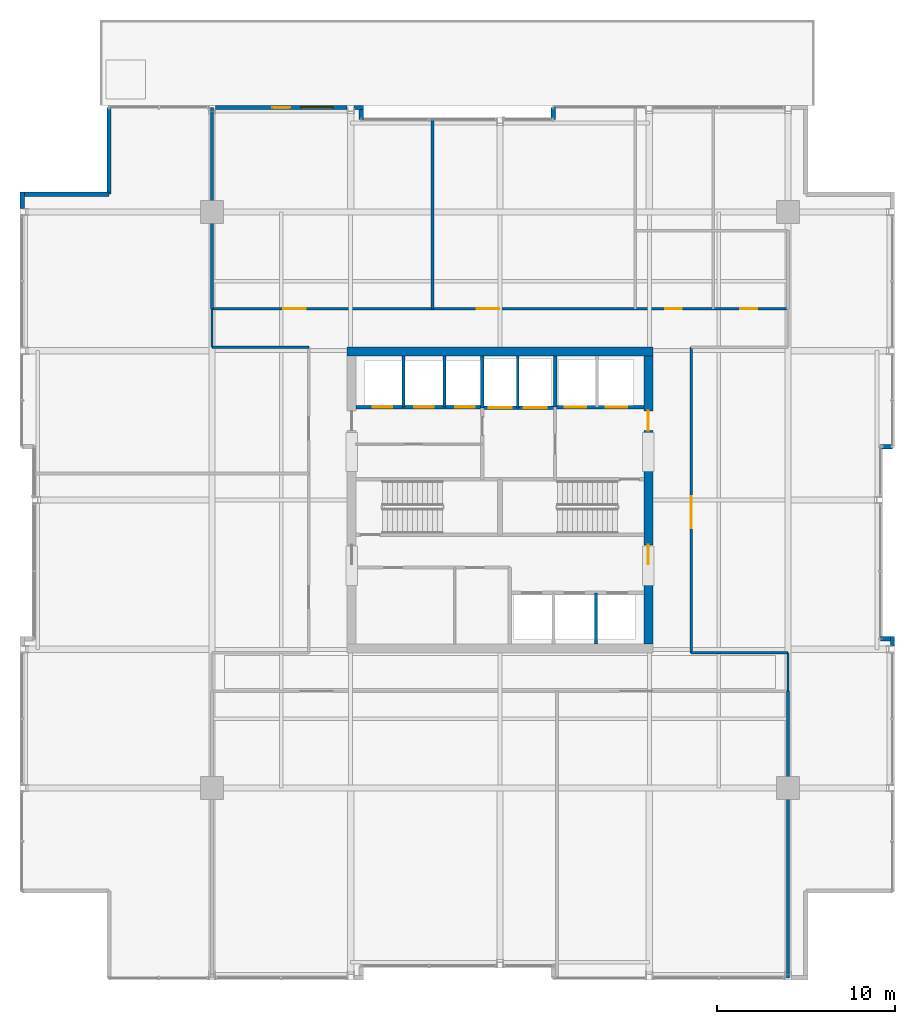
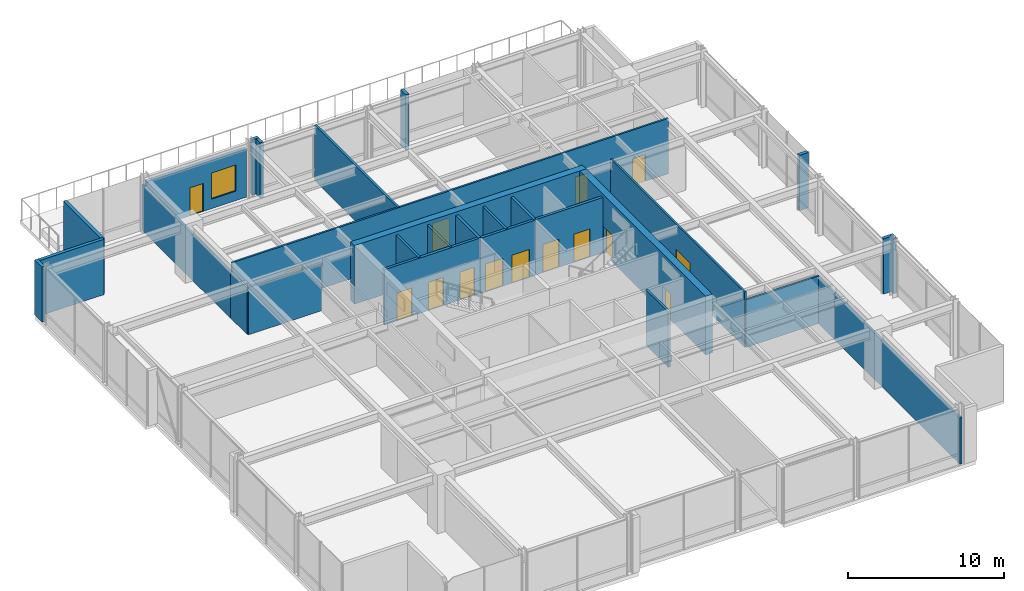
# One storey, part 28 of 32: 30 walls, 15 doors, 1 window, 16 openings.
"""IFC4 building model written with IfcOpenShell, lengths in metres."""

import ifcopenshell
import ifcopenshell.guid

model = None  # the IFC model being written
_history = None  # IfcOwnerHistory: only IFC2X3 demands one
_inside = {}  # id of a spatial element -> (the spatial element, [elements in it])
_under = {}  # id of a project, library or spatial element -> (it, [spatial elements below it])
_declared = {}  # id of a project -> (the project, [libraries it declares])
_typed = {}  # id of a type object -> (the type object, [elements of that type])
_made_of = {}  # id of a material, layer set ... -> (it, [elements and type objects made of it])


def new_model(schema):
    """Start an empty IFC model of exactly this schema.

    Asked for "IFC4X3", IfcOpenShell would pick the latest addendum, in which some entities
    have other attributes; the version numbers below select the first issue.
    IFC2X3 requires an IfcOwnerHistory on every rooted entity: one is made here for all.
    """
    global model, _history
    if schema == "IFC4X3":
        model = ifcopenshell.file(schema_version=(4, 3, 0, 0))
    else:
        model = ifcopenshell.file(schema=schema)
    _inside.clear()
    _under.clear()
    _declared.clear()
    _typed.clear()
    _made_of.clear()
    _history = None
    if model.schema == "IFC2X3":
        org = make("IfcOrganization", Name="unknown")
        user = make(
            "IfcPersonAndOrganization",
            ThePerson=make("IfcPerson", FamilyName="unknown"),
            TheOrganization=org,
        )
        app = make(
            "IfcApplication",
            ApplicationDeveloper=org,
            Version="unknown",
            ApplicationFullName="unknown",
            ApplicationIdentifier="unknown",
        )
        _history = make(
            "IfcOwnerHistory",
            OwningUser=user,
            OwningApplication=app,
            ChangeAction="ADDED",
            CreationDate=0,
        )
    return model


def make(cls, **values):
    """One entity of the class cls with the attributes given. An attribute that is None is left unset."""
    return model.create_entity(
        cls, **{name: value for name, value in values.items() if value is not None}
    )


def rooted(cls, **values):
    """An entity with a GlobalId (a new one), such as an element, a storey or a relation."""
    return make(cls, GlobalId=ifcopenshell.guid.new(), OwnerHistory=_history, **values)


def si_unit(unit_type, name, prefix=None):
    """IfcSIUnit, for example si_unit("LENGTHUNIT", "METRE", prefix="MILLI")."""
    return make("IfcSIUnit", UnitType=unit_type, Prefix=prefix, Name=name)


def assignment(units):
    """IfcUnitAssignment: the units of a project."""
    return None if units is None else make("IfcUnitAssignment", Units=units)


def point(xyz):
    """IfcCartesianPoint."""
    return None if xyz is None else make("IfcCartesianPoint", Coordinates=xyz)


def direction(xyz):
    """IfcDirection."""
    return None if xyz is None else make("IfcDirection", DirectionRatios=xyz)


def frame(location, z_axis=None, x_axis=None):
    """IfcAxis2Placement3D, a coordinate frame: its origin and axes. An axis left out is left unset."""
    return make(
        "IfcAxis2Placement3D",
        Location=point(location),
        Axis=direction(z_axis),
        RefDirection=direction(x_axis),
    )


def frame_2d(location, x_axis=None):
    """IfcAxis2Placement2D, a coordinate frame in the plane: its origin and x axis."""
    return make(
        "IfcAxis2Placement2D", Location=point(location), RefDirection=direction(x_axis)
    )


def origin():
    """The frame at (0, 0, 0) with its axes left unset."""
    return frame((0.0, 0.0, 0.0))


def place(relative_to, where):
    """IfcLocalPlacement: puts the frame where relative to a parent placement (None: the world)."""
    return make(
        "IfcLocalPlacement", PlacementRelTo=relative_to, RelativePlacement=where
    )


def context(
    kind, dimensions, precision=None, world=None, true_north=None, identifier=None
):
    """IfcGeometricRepresentationContext, for example the 3D "Model" context."""
    return make(
        "IfcGeometricRepresentationContext",
        ContextIdentifier=identifier,
        ContextType=kind,
        CoordinateSpaceDimension=dimensions,
        Precision=precision,
        WorldCoordinateSystem=world,
        TrueNorth=true_north,
    )


def subcontext(parent, identifier, kind, view, scale=None):
    """IfcGeometricRepresentationSubContext, for example "Body" below "Model"."""
    return make(
        "IfcGeometricRepresentationSubContext",
        ContextIdentifier=identifier,
        ContextType=kind,
        ParentContext=parent,
        TargetScale=scale,
        TargetView=view,
    )


def project(units=None, contexts=None):
    """IfcProject with its units and contexts."""
    return rooted(
        "IfcProject",
        Name="project",
        RepresentationContexts=contexts,
        UnitsInContext=assignment(units),
    )


def spatial(cls, under=None, at=None, **own):
    """A site, building, storey or space (cls), placed at a placement, below another one or the project."""
    s = rooted(cls, ObjectPlacement=at, **own)
    if under is not None:
        _under.setdefault(under.id(), (under, []))[1].append(s)
    return s


def profile(cls, at=None, kind="AREA", **sizes):
    """A parametric profile (cls). Its sizes go by their IFC names, for example OverallWidth=200.0."""
    return make(cls, ProfileType=kind, Position=at, **sizes)


def rectangle(**sizes):
    """IfcRectangleProfileDef."""
    return profile("IfcRectangleProfileDef", **sizes)


def extrude(swept, where, along, depth):
    """IfcExtrudedAreaSolid: the profile swept, set in the frame where, extruded along a direction by depth."""
    return make(
        "IfcExtrudedAreaSolid",
        SweptArea=swept,
        Position=where,
        ExtrudedDirection=direction(along),
        Depth=depth,
    )


def shape(context_of_items, identifier, shape_type, items):
    """IfcShapeRepresentation: the items that make up one representation, for example the "Body"."""
    return make(
        "IfcShapeRepresentation",
        ContextOfItems=context_of_items,
        RepresentationIdentifier=identifier,
        RepresentationType=shape_type,
        Items=items,
    )


def material(Name=None, Category=None):
    """IfcMaterial."""
    return make("IfcMaterial", Name=Name, Category=Category)


def layer(
    of_material, thickness, ventilated=None, Name=None, Category=None, Priority=None
):
    """IfcMaterialLayer: one layer of a wall or slab, of a material (None: an air gap)."""
    return make(
        "IfcMaterialLayer",
        Material=of_material,
        LayerThickness=thickness,
        IsVentilated=ventilated,
        Name=Name,
        Category=Category,
        Priority=Priority,
    )


def layer_set(layers, Name=None):
    """IfcMaterialLayerSet."""
    return make("IfcMaterialLayerSet", MaterialLayers=layers, LayerSetName=Name)


def made_of(thing, what):
    """Note that an element or type object is made of a material, layer set ...; save() writes the relation."""
    if what is not None:
        _made_of.setdefault(what.id(), (what, []))[1].append(thing)
    return thing


def type_object(cls, material=None, **own):
    """A type object (cls), such as IfcWallType, which elements share."""
    return made_of(rooted(cls, **own), material)


def element(
    cls,
    number,
    at=None,
    inside=None,
    cuts=None,
    type_object=None,
    material=None,
    context=None,
    identifier="Body",
    shape_type=None,
    held_by="IfcProductDefinitionShape",
    body=None,
    shapes=None,
    **own,
):
    """One element of the class cls, such as IfcWall. Its Tag is "e" and its number.

    at: its placement. inside: the storey or other place that contains it. cuts: it is an
    opening in that element (IfcRelVoidsElement). A single representation is given by context,
    identifier, shape_type and body (its items); several are given by shapes. held_by: the class
    of the entity that holds the representations. save() writes the other relations.
    """
    e = rooted(cls, Tag="e%d" % number, ObjectPlacement=at, **own)
    if body is not None:
        shapes = [shape(context, identifier, shape_type, body)]
    if shapes is not None:
        e.Representation = make(held_by, Representations=shapes)
    if inside is not None:
        _inside.setdefault(inside.id(), (inside, []))[1].append(e)
    if cuts is not None:
        rooted(
            "IfcRelVoidsElement", RelatingBuildingElement=cuts, RelatedOpeningElement=e
        )
    if type_object is not None:
        _typed.setdefault(type_object.id(), (type_object, []))[1].append(e)
    return made_of(e, material)


def fill(opening, filler):
    """IfcRelFillsElement: the door or window that sits in an opening."""
    return rooted(
        "IfcRelFillsElement",
        RelatingOpeningElement=opening,
        RelatedBuildingElement=filler,
    )


def aggregate(whole, parts):
    """IfcRelAggregates: a whole, such as a stair, and the parts it consists of."""
    return rooted("IfcRelAggregates", RelatingObject=whole, RelatedObjects=parts)


def save(model, path):
    """Write the relations noted so far, then the file.

    IfcRelAggregates (storeys below a building ...), IfcRelContainedInSpatialStructure (elements
    in a storey), IfcRelDefinesByType, IfcRelAssociatesMaterial and IfcRelDeclares: one each for
    every whole, place, type object, material and project.
    """
    for whole, parts in _under.values():
        aggregate(whole, parts)
    for where, things in _inside.values():
        rooted(
            "IfcRelContainedInSpatialStructure",
            RelatedElements=things,
            RelatingStructure=where,
        )
    for kind, things in _typed.values():
        rooted("IfcRelDefinesByType", RelatedObjects=things, RelatingType=kind)
    for what, things in _made_of.values():
        rooted("IfcRelAssociatesMaterial", RelatedObjects=things, RelatingMaterial=what)
    for by, libraries in _declared.values():
        rooted("IfcRelDeclares", RelatingContext=by, RelatedDefinitions=libraries)
    model.write(path)


model = new_model("IFC4")

# Units and contexts
model_context = context("Model", 3, precision=1e-05, world=origin(), true_north=direction((0.0, 1.0)))
body_context = subcontext(model_context, "Body", "Model", "MODEL_VIEW")
ifc_project = project(units=[si_unit("LENGTHUNIT", "METRE"), si_unit("AREAUNIT", "SQUARE_METRE"), si_unit("VOLUMEUNIT", "CUBIC_METRE"), si_unit("PLANEANGLEUNIT", "RADIAN"), si_unit("MASSUNIT", "GRAM", prefix="KILO")], contexts=[model_context])

# Site, building, storey
site_placement = place(None, origin())
site = spatial("IfcSite", under=ifc_project, at=site_placement, CompositionType="ELEMENT")
building_placement = place(site_placement, origin())
building = spatial("IfcBuilding", under=site, at=building_placement, Name="Drelvath Grand Hotel", CompositionType="ELEMENT")
storey_placement = place(building_placement, frame((0.0, 0.0, 145.800048828125)))
storey = spatial("IfcBuildingStorey", under=building, at=storey_placement, Name="L37", CompositionType="ELEMENT", Elevation=145.800048828125)

# Wall, openings, doors
ifc_material_1 = material(Name="Concrete C40/50", Category="concrete")
ifc_layer_1 = layer(ifc_material_1, 0.199951171875)
ifc_layer_set_1 = layer_set([ifc_layer_1], Name="Concrete C40/50")
wall_type_1 = type_object("IfcWallType", Name="Core Hoistway Fire Wall 200", PredefinedType="SOLIDWALL", material=ifc_layer_set_1)
wall_1_placement = place(storey_placement, frame((3.10009765625, 32.219970703125, 0.0), z_axis=(0.0, 0.0, 1.0), x_axis=(1.0, 0.0, 0.0)))
wall_1 = element("IfcWall", 1, at=wall_1_placement, inside=storey, type_object=wall_type_1, Name="L37 FSAE Hoistway Front Wall", PredefinedType="SOLIDWALL", context=body_context, shape_type="SweptSolid", body=[
    extrude(rectangle(XDim=5.0, YDim=0.199951171875, at=frame_2d((2.5, 0.0))), origin(), (0.0, 0.0, 1.0), 4.33984375),
])
opening_1_placement = place(wall_1_placement, frame((0.550048828125, 0.0, 0.0)))
opening_1 = element("IfcOpeningElement", 2, at=opening_1_placement, cuts=wall_1, Name="Opening LD-FSAE-1", PredefinedType="OPENING", context=body_context, shape_type="SweptSolid", body=[
    extrude(rectangle(XDim=1.199951171875, YDim=2.199951171875, at=frame_2d((0.60009765625, 1.10009765625))), frame((0.0, 0.10986328125, 0.0), z_axis=(0.0, -1.0, 0.0), x_axis=(1.0, 0.0, 0.0)), (0.0, 0.0, 1.0), 0.219970703125),
])
opening_2_placement = place(wall_1_placement, frame((2.85009765625, 0.0, 0.0)))
opening_2 = element("IfcOpeningElement", 3, at=opening_2_placement, cuts=wall_1, Name="Opening LD-FSAE-2", PredefinedType="OPENING", context=body_context, shape_type="SweptSolid", body=[
    extrude(rectangle(XDim=1.199951171875, YDim=2.199951171875, at=frame_2d((0.60009765625, 1.10009765625))), frame((0.0, 0.10986328125, 0.0), z_axis=(0.0, -1.0, 0.0), x_axis=(1.0, 0.0, 0.0)), (0.0, 0.0, 1.0), 0.219970703125),
])
ifc_material_2 = material(Name="Stainless Steel S355", Category="steel")
door_type_1 = type_object("IfcDoorType", Name="FSAE Lift Sliding Landing Door 1200x2200", OperationType="NOTDEFINED", PredefinedType="DOOR", material=ifc_material_2)
door_1_placement = place(opening_1_placement, origin())
door_1 = element("IfcDoor", 4, at=door_1_placement, inside=storey, type_object=door_type_1, Name="L37 Lift FSAE-1 Landing Door", OperationType="SLIDING_TO_LEFT", OverallHeight=2.199951171875, OverallWidth=1.199951171875, PredefinedType="DOOR", context=body_context, shape_type="SweptSolid", body=[
    extrude(rectangle(XDim=1.199951171875, YDim=2.199951171875, at=frame_2d((0.60009765625, 1.10009765625))), frame((0.0, 0.02490234375, 0.0), z_axis=(0.0, -1.0, 0.0), x_axis=(1.0, 0.0, 0.0)), (0.0, 0.0, 1.0), 0.050048828125),
])
fill(opening_1, door_1)
door_2_placement = place(opening_2_placement, origin())
door_2 = element("IfcDoor", 5, at=door_2_placement, inside=storey, type_object=door_type_1, Name="L37 Lift FSAE-2 Landing Door", OperationType="SLIDING_TO_LEFT", OverallHeight=2.199951171875, OverallWidth=1.199951171875, PredefinedType="DOOR", context=body_context, shape_type="SweptSolid", body=[
    extrude(rectangle(XDim=1.199951171875, YDim=2.199951171875, at=frame_2d((0.60009765625, 1.10009765625))), frame((0.0, 0.02490234375, 0.0), z_axis=(0.0, -1.0, 0.0), x_axis=(1.0, 0.0, 0.0)), (0.0, 0.0, 1.0), 0.050048828125),
])
fill(opening_2, door_2)

# Wall
wall_2_placement = place(storey_placement, frame((3.10009765625, 32.219970703125, 0.0), z_axis=(0.0, 0.0, 1.0), x_axis=(0.0, 1.0, 0.0)))
element("IfcWall", 6, at=wall_2_placement, inside=storey, type_object=wall_type_1, Name="L37 FSAE Hoistway West Wall", PredefinedType="SOLIDWALL", context=body_context, shape_type="SweptSolid", body=[
    extrude(rectangle(XDim=2.880126953125, YDim=0.199951171875, at=frame_2d((1.43994140625, 0.0))), origin(), (0.0, 0.0, 1.0), 4.33984375),
])

# Wall, openings, doors
wall_3_placement = place(storey_placement, frame((-1.0, 32.179931640625, 0.0), z_axis=(0.0, 0.0, 1.0), x_axis=(1.0, 0.0, 0.0)))
wall_3 = element("IfcWall", 7, at=wall_3_placement, inside=storey, type_object=wall_type_1, Name="L37 Service Lift Hoistway Wall", PredefinedType="SOLIDWALL", context=body_context, shape_type="SweptSolid", body=[
    extrude(rectangle(XDim=4.10009765625, YDim=0.199951171875, at=frame_2d((2.050048828125, 0.0))), origin(), (0.0, 0.0, 1.0), 4.33984375),
])
opening_3_placement = place(wall_3_placement, frame((0.3701171875, 0.0, 0.0)))
opening_3 = element("IfcOpeningElement", 8, at=opening_3_placement, cuts=wall_3, Name="Opening LD-SV-2", PredefinedType="OPENING", context=body_context, shape_type="SweptSolid", body=[
    extrude(rectangle(XDim=1.300048828125, YDim=2.199951171875, at=frame_2d((0.64990234375, 1.10009765625))), frame((0.0, 0.10986328125, 0.0), z_axis=(0.0, -1.0, 0.0), x_axis=(1.0, 0.0, 0.0)), (0.0, 0.0, 1.0), 0.219970703125),
])
opening_4_placement = place(wall_3_placement, frame((2.330078125, 0.0, 0.0)))
opening_4 = element("IfcOpeningElement", 9, at=opening_4_placement, cuts=wall_3, Name="Opening LD-SV-1", PredefinedType="OPENING", context=body_context, shape_type="SweptSolid", body=[
    extrude(rectangle(XDim=1.300048828125, YDim=2.199951171875, at=frame_2d((0.64990234375, 1.10009765625))), frame((0.0, 0.10986328125, 0.0), z_axis=(0.0, -1.0, 0.0), x_axis=(1.0, 0.0, 0.0)), (0.0, 0.0, 1.0), 0.219970703125),
])
door_type_2 = type_object("IfcDoorType", Name="Service Lift Sliding Landing Door 1300x2200", OperationType="NOTDEFINED", PredefinedType="DOOR", material=ifc_material_2)
door_3_placement = place(opening_3_placement, origin())
door_3 = element("IfcDoor", 10, at=door_3_placement, inside=storey, type_object=door_type_2, Name="L37 Lift SV-2 Landing Door", OperationType="SLIDING_TO_LEFT", OverallHeight=2.199951171875, OverallWidth=1.300048828125, PredefinedType="DOOR", context=body_context, shape_type="SweptSolid", body=[
    extrude(rectangle(XDim=1.300048828125, YDim=2.199951171875, at=frame_2d((0.64990234375, 1.10009765625))), frame((0.0, 0.02490234375, 0.0), z_axis=(0.0, -1.0, 0.0), x_axis=(1.0, 0.0, 0.0)), (0.0, 0.0, 1.0), 0.050048828125),
])
fill(opening_3, door_3)
door_4_placement = place(opening_4_placement, origin())
door_4 = element("IfcDoor", 11, at=door_4_placement, inside=storey, type_object=door_type_2, Name="L37 Lift SV-1 Landing Door", OperationType="SLIDING_TO_LEFT", OverallHeight=2.199951171875, OverallWidth=1.300048828125, PredefinedType="DOOR", context=body_context, shape_type="SweptSolid", body=[
    extrude(rectangle(XDim=1.300048828125, YDim=2.199951171875, at=frame_2d((0.64990234375, 1.10009765625))), frame((0.0, 0.02490234375, 0.0), z_axis=(0.0, -1.0, 0.0), x_axis=(1.0, 0.0, 0.0)), (0.0, 0.0, 1.0), 0.050048828125),
])
fill(opening_4, door_4)

# Wall
wall_4_placement = place(storey_placement, frame((-1.0, 32.179931640625, 0.0), z_axis=(0.0, 0.0, 1.0), x_axis=(0.0, 1.0, 0.0)))
element("IfcWall", 12, at=wall_4_placement, inside=storey, type_object=wall_type_1, Name="L37 Service Lift West Wall", PredefinedType="SOLIDWALL", context=body_context, shape_type="SweptSolid", body=[
    extrude(rectangle(XDim=2.920166015625, YDim=0.199951171875, at=frame_2d((1.4599609375, 0.0))), origin(), (0.0, 0.0, 1.0), 4.33984375),
])

# Wall, openings, doors
wall_5_placement = place(storey_placement, frame((-8.10009765625, 32.219970703125, 0.0), z_axis=(0.0, 0.0, 1.0), x_axis=(1.0, 0.0, 0.0)))
wall_5 = element("IfcWall", 13, at=wall_5_placement, inside=storey, type_object=wall_type_1, Name="L37 Bank 3 Hoistway Wall", PredefinedType="SOLIDWALL", context=body_context, shape_type="SweptSolid", body=[
    extrude(rectangle(XDim=7.10009765625, YDim=0.199951171875, at=frame_2d((3.550048828125, 0.0))), origin(), (0.0, 0.0, 1.0), 4.33984375),
])
opening_5_placement = place(wall_5_placement, frame((0.949951171875, 0.0, 0.0)))
opening_5 = element("IfcOpeningElement", 14, at=opening_5_placement, cuts=wall_5, Name="Opening LD-PE-7", PredefinedType="OPENING", context=body_context, shape_type="SweptSolid", body=[
    extrude(rectangle(XDim=1.10009765625, YDim=2.199951171875, at=frame_2d((0.550048828125, 1.10009765625))), frame((0.0, 0.10986328125, 0.0), z_axis=(0.0, -1.0, 0.0), x_axis=(1.0, 0.0, 0.0)), (0.0, 0.0, 1.0), 0.219970703125),
])
opening_6_placement = place(wall_5_placement, frame((3.27001953125, 0.0, 0.0)))
opening_6 = element("IfcOpeningElement", 15, at=opening_6_placement, cuts=wall_5, Name="Opening LD-PE-8", PredefinedType="OPENING", context=body_context, shape_type="SweptSolid", body=[
    extrude(rectangle(XDim=1.10009765625, YDim=2.199951171875, at=frame_2d((0.550048828125, 1.10009765625))), frame((0.0, 0.10986328125, 0.0), z_axis=(0.0, -1.0, 0.0), x_axis=(1.0, 0.0, 0.0)), (0.0, 0.0, 1.0), 0.219970703125),
])
opening_7_placement = place(wall_5_placement, frame((5.590087890625, 0.0, 0.0)))
opening_7 = element("IfcOpeningElement", 16, at=opening_7_placement, cuts=wall_5, Name="Opening LD-PE-9", PredefinedType="OPENING", context=body_context, shape_type="SweptSolid", body=[
    extrude(rectangle(XDim=1.10009765625, YDim=2.199951171875, at=frame_2d((0.550048828125, 1.10009765625))), frame((0.0, 0.10986328125, 0.0), z_axis=(0.0, -1.0, 0.0), x_axis=(1.0, 0.0, 0.0)), (0.0, 0.0, 1.0), 0.219970703125),
])
door_type_3 = type_object("IfcDoorType", Name="Passenger Lift Sliding Landing Door 1100x2200", OperationType="NOTDEFINED", PredefinedType="DOOR", material=ifc_material_2)
door_5_placement = place(opening_5_placement, origin())
door_5 = element("IfcDoor", 17, at=door_5_placement, inside=storey, type_object=door_type_3, Name="L37 Lift PE-7 Landing Door", OperationType="SLIDING_TO_LEFT", OverallHeight=2.199951171875, OverallWidth=1.10009765625, PredefinedType="DOOR", context=body_context, shape_type="SweptSolid", body=[
    extrude(rectangle(XDim=1.10009765625, YDim=2.199951171875, at=frame_2d((0.550048828125, 1.10009765625))), frame((0.0, 0.02490234375, 0.0), z_axis=(0.0, -1.0, 0.0), x_axis=(1.0, 0.0, 0.0)), (0.0, 0.0, 1.0), 0.050048828125),
])
fill(opening_5, door_5)
door_6_placement = place(opening_6_placement, origin())
door_6 = element("IfcDoor", 18, at=door_6_placement, inside=storey, type_object=door_type_3, Name="L37 Lift PE-8 Landing Door", OperationType="SLIDING_TO_LEFT", OverallHeight=2.199951171875, OverallWidth=1.10009765625, PredefinedType="DOOR", context=body_context, shape_type="SweptSolid", body=[
    extrude(rectangle(XDim=1.10009765625, YDim=2.199951171875, at=frame_2d((0.550048828125, 1.10009765625))), frame((0.0, 0.02490234375, 0.0), z_axis=(0.0, -1.0, 0.0), x_axis=(1.0, 0.0, 0.0)), (0.0, 0.0, 1.0), 0.050048828125),
])
fill(opening_6, door_6)
door_7_placement = place(opening_7_placement, origin())
door_7 = element("IfcDoor", 19, at=door_7_placement, inside=storey, type_object=door_type_3, Name="L37 Lift PE-9 Landing Door", OperationType="SLIDING_TO_LEFT", OverallHeight=2.199951171875, OverallWidth=1.10009765625, PredefinedType="DOOR", context=body_context, shape_type="SweptSolid", body=[
    extrude(rectangle(XDim=1.10009765625, YDim=2.199951171875, at=frame_2d((0.550048828125, 1.10009765625))), frame((0.0, 0.02490234375, 0.0), z_axis=(0.0, -1.0, 0.0), x_axis=(1.0, 0.0, 0.0)), (0.0, 0.0, 1.0), 0.050048828125),
])
fill(opening_7, door_7)

# Walls
ifc_material_3 = material(Name="Gypsum Fireboard Partition")
ifc_layer_2 = layer(ifc_material_3, 0.1650390625)
ifc_layer_set_2 = layer_set([ifc_layer_2], Name="Gypsum Fireboard Partition")
wall_type_2 = type_object("IfcWallType", Name="Core Shaft Partition 165", PredefinedType="PARTITIONING", material=ifc_layer_set_2)
wall_6_placement = place(storey_placement, frame((1.0, 32.179931640625, 0.0), z_axis=(0.0, 0.0, 1.0), x_axis=(0.0, 1.0, 0.0)))
element("IfcWall", 20, at=wall_6_placement, inside=storey, type_object=wall_type_2, Name="L37 Service Lift Divider", PredefinedType="PARTITIONING", context=body_context, shape_type="SweptSolid", body=[
    extrude(rectangle(XDim=2.920166015625, YDim=0.1650390625, at=frame_2d((1.4599609375, 0.0))), origin(), (0.0, 0.0, 1.0), 4.33984375),
])
for number, where, z_axis, x_axis, name in (
    (21, (-5.43994140625, 32.219970703125, 0.0), (0.0, 0.0, 1.0), (0.0, 1.0, 0.0), "L37 Lift PE-7/8 Divider"),
    (22, (-3.1201171875, 32.219970703125, 0.0), (0.0, 0.0, 1.0), (0.0, 1.0, 0.0), "L37 Lift PE-8/9 Divider"),
    (23, (5.39990234375, 18.89990234375, 0.0), (0.0, 0.0, 1.0), (0.0, 1.0, 0.0), "L37 Lift PE-5/6 Divider"),
):
    element("IfcWall", number, at=place(storey_placement, frame(where, z_axis=z_axis, x_axis=x_axis)), inside=storey, type_object=wall_type_2, Name=name, PredefinedType="PARTITIONING", context=body_context, shape_type="SweptSolid", body=[
        extrude(rectangle(XDim=2.880126953125, YDim=0.1650390625, at=frame_2d((1.43994140625, 0.0))), origin(), (0.0, 0.0, 1.0), 4.33984375),
    ])

# Wall, openings, doors
ifc_layer_3 = layer(ifc_material_3, 0.135009765625)
ifc_layer_set_3 = layer_set([ifc_layer_3], Name="Gypsum Fireboard Partition")
wall_type_3 = type_object("IfcWallType", Name="Corridor Fire Barrier Wall 135", PredefinedType="PARTITIONING", material=ifc_layer_set_3)
wall_7_placement = place(storey_placement, frame((-16.199951171875, 37.75, 0.0), z_axis=(0.0, 0.0, 1.0), x_axis=(1.0, 0.0, 0.0)))
wall_7 = element("IfcWall", 24, at=wall_7_placement, inside=storey, type_object=wall_type_3, Name="L37 Sky North Foyer Wall", PredefinedType="PARTITIONING", context=body_context, shape_type="SweptSolid", body=[
    extrude(rectangle(XDim=32.39990234375, YDim=0.135009765625, at=frame_2d((16.199951171875, 0.0))), origin(), (0.0, 0.0, 1.0), 4.33984375),
])
opening_8_placement = place(wall_7_placement, frame((4.0, 0.0, 0.0)))
opening_8 = element("IfcOpeningElement", 25, at=opening_8_placement, cuts=wall_7, Name="Opening D-L37-024", PredefinedType="OPENING", context=body_context, shape_type="SweptSolid", body=[
    extrude(rectangle(XDim=1.260009765625, YDim=2.199951171875, at=frame_2d((0.6298828125, 1.10009765625))), frame((0.0, 0.077392578125, 0.0), z_axis=(0.0, -1.0, 0.0), x_axis=(1.0, 0.0, 0.0)), (0.0, 0.0, 1.0), 0.155029296875),
])
opening_9_placement = place(wall_7_placement, frame((14.89990234375, 0.0, 0.0)))
opening_9 = element("IfcOpeningElement", 26, at=opening_9_placement, cuts=wall_7, Name="Opening D-L37-025", PredefinedType="OPENING", context=body_context, shape_type="SweptSolid", body=[
    extrude(rectangle(XDim=1.260009765625, YDim=2.199951171875, at=frame_2d((0.6298828125, 1.10009765625))), frame((0.0, 0.077392578125, 0.0), z_axis=(0.0, -1.0, 0.0), x_axis=(1.0, 0.0, 0.0)), (0.0, 0.0, 1.0), 0.155029296875),
])
opening_10_placement = place(wall_7_placement, frame((25.5, 0.0, 0.0)))
opening_10 = element("IfcOpeningElement", 27, at=opening_10_placement, cuts=wall_7, Name="Opening D-L37-026", PredefinedType="OPENING", context=body_context, shape_type="SweptSolid", body=[
    extrude(rectangle(XDim=0.919921875, YDim=2.10009765625, at=frame_2d((0.4599609375, 1.050048828125))), frame((0.0, 0.077392578125, 0.0), z_axis=(0.0, -1.0, 0.0), x_axis=(1.0, 0.0, 0.0)), (0.0, 0.0, 1.0), 0.155029296875),
])
opening_11_placement = place(wall_7_placement, frame((29.699951171875, 0.0, 0.0)))
opening_11 = element("IfcOpeningElement", 28, at=opening_11_placement, cuts=wall_7, Name="Opening D-L37-027", PredefinedType="OPENING", context=body_context, shape_type="SweptSolid", body=[
    extrude(rectangle(XDim=0.97998046875, YDim=2.10009765625, at=frame_2d((0.489990234375, 1.050048828125))), frame((0.0, 0.077392578125, 0.0), z_axis=(0.0, -1.0, 0.0), x_axis=(1.0, 0.0, 0.0)), (0.0, 0.0, 1.0), 0.155029296875),
])
ifc_material_4 = material(Name="Hardwood Walnut Timber", Category="wood")
door_type_4 = type_object("IfcDoorType", Name="Accessible WC Door 980x2100", OperationType="NOTDEFINED", PredefinedType="DOOR", material=ifc_material_4)
door_8_placement = place(opening_11_placement, origin())
door_8 = element("IfcDoor", 29, at=door_8_placement, inside=storey, type_object=door_type_4, Name="L37 Sky Accessible WC Door", OperationType="SINGLE_SWING_LEFT", OverallHeight=2.10009765625, OverallWidth=0.97998046875, PredefinedType="DOOR", context=body_context, shape_type="SweptSolid", body=[
    extrude(rectangle(XDim=0.97998046875, YDim=2.10009765625, at=frame_2d((0.489990234375, 1.050048828125))), frame((0.0, 0.02490234375, 0.0), z_axis=(0.0, -1.0, 0.0), x_axis=(1.0, 0.0, 0.0)), (0.0, 0.0, 1.0), 0.050048828125),
])
fill(opening_11, door_8)
ifc_material_5 = material(Name="Painted Steel S275", Category="steel")
door_type_5 = type_object("IfcDoorType", Name="Staff Utility Door 920x2100", OperationType="NOTDEFINED", PredefinedType="DOOR", material=ifc_material_5)
door_9_placement = place(opening_10_placement, origin())
door_9 = element("IfcDoor", 30, at=door_9_placement, inside=storey, type_object=door_type_5, Name="L37 Sky Public WC Door", OperationType="SINGLE_SWING_RIGHT", OverallHeight=2.10009765625, OverallWidth=0.919921875, PredefinedType="DOOR", context=body_context, shape_type="SweptSolid", body=[
    extrude(rectangle(XDim=0.919921875, YDim=2.10009765625, at=frame_2d((0.4599609375, 1.050048828125))), frame((0.0, 0.02490234375, 0.0), z_axis=(0.0, -1.0, 0.0), x_axis=(1.0, 0.0, 0.0)), (0.0, 0.0, 1.0), 0.050048828125),
])
fill(opening_10, door_9)
door_type_6 = type_object("IfcDoorType", Name="Suite Entrance Fire Door 1260x2200", OperationType="NOTDEFINED", PredefinedType="DOOR", material=ifc_material_4)
door_10_placement = place(opening_8_placement, origin())
door_10 = element("IfcDoor", 31, at=door_10_placement, inside=storey, type_object=door_type_6, Name="L37 Panoramic Sky Lobby Door", OperationType="SINGLE_SWING_RIGHT", OverallHeight=2.199951171875, OverallWidth=1.260009765625, PredefinedType="DOOR", context=body_context, shape_type="SweptSolid", body=[
    extrude(rectangle(XDim=1.260009765625, YDim=2.199951171875, at=frame_2d((0.6298828125, 1.10009765625))), frame((0.0, 0.02490234375, 0.0), z_axis=(0.0, -1.0, 0.0), x_axis=(1.0, 0.0, 0.0)), (0.0, 0.0, 1.0), 0.050048828125),
])
fill(opening_8, door_10)
door_11_placement = place(opening_9_placement, origin())
door_11 = element("IfcDoor", 32, at=door_11_placement, inside=storey, type_object=door_type_6, Name="L37 Couples Massage Therapy Room Door", OperationType="SINGLE_SWING_LEFT", OverallHeight=2.199951171875, OverallWidth=1.260009765625, PredefinedType="DOOR", context=body_context, shape_type="SweptSolid", body=[
    extrude(rectangle(XDim=1.260009765625, YDim=2.199951171875, at=frame_2d((0.6298828125, 1.10009765625))), frame((0.0, 0.02490234375, 0.0), z_axis=(0.0, -1.0, 0.0), x_axis=(1.0, 0.0, 0.0)), (0.0, 0.0, 1.0), 0.050048828125),
])
fill(opening_9, door_11)

# Walls
for number, where, z_axis, x_axis, name in (
    (33, (10.75, 18.39990234375, 0.0), (0.0, 0.0, 1.0), (1.0, 0.0, 0.0), "L37 Sky SE Spur Inner Wall"),
    (34, (-16.199951171875, 35.60009765625, 0.0), (0.0, 0.0, 1.0), (1.0, 0.0, 0.0), "L37 Sky NW Spur Inner Wall"),
):
    element("IfcWall", number, at=place(storey_placement, frame(where, z_axis=z_axis, x_axis=x_axis)), inside=storey, type_object=wall_type_3, Name=name, PredefinedType="PARTITIONING", context=body_context, shape_type="SweptSolid", body=[
        extrude(rectangle(XDim=5.449951171875, YDim=0.135009765625, at=frame_2d((2.72509765625, 0.0))), origin(), (0.0, 0.0, 1.0), 3.71728515625),
    ])

# Wall, opening, door
wall_8_placement = place(storey_placement, frame((10.75, 18.39990234375, 0.0), z_axis=(0.0, 0.0, 1.0), x_axis=(0.0, 1.0, 0.0)))
wall_8 = element("IfcWall", 35, at=wall_8_placement, inside=storey, type_object=wall_type_3, Name="L37 Sky East Foyer Wall", PredefinedType="PARTITIONING", context=body_context, shape_type="SweptSolid", body=[
    extrude(rectangle(XDim=17.2001953125, YDim=0.135009765625, at=frame_2d((8.60009765625, 0.0))), origin(), (0.0, 0.0, 1.0), 4.33984375),
])
opening_12_placement = place(wall_8_placement, frame((7.0, 0.0, 0.0)))
opening_12 = element("IfcOpeningElement", 36, at=opening_12_placement, cuts=wall_8, Name="Opening D-L37-030", PredefinedType="OPENING", context=body_context, shape_type="SweptSolid", body=[
    extrude(rectangle(XDim=1.800048828125, YDim=2.35009765625, at=frame_2d((0.89990234375, 1.175048828125))), frame((0.0, 0.077392578125, 0.0), z_axis=(0.0, -1.0, 0.0), x_axis=(1.0, 0.0, 0.0)), (0.0, 0.0, 1.0), 0.155029296875),
])
ifc_material_6 = material(Name="Hardwood Bronze-Clad Timber", Category="wood")
door_type_7 = type_object("IfcDoorType", Name="Assembly Double Fire Door 1800x2350", OperationType="NOTDEFINED", PredefinedType="DOOR", material=ifc_material_6)
door_12_placement = place(opening_12_placement, origin())
door_12 = element("IfcDoor", 37, at=door_12_placement, inside=storey, type_object=door_type_7, Name="L37 East Panorama Lounge Door", OperationType="DOUBLE_DOOR_SINGLE_SWING", OverallHeight=2.35009765625, OverallWidth=1.800048828125, PredefinedType="DOOR", context=body_context, shape_type="SweptSolid", body=[
    extrude(rectangle(XDim=1.800048828125, YDim=2.35009765625, at=frame_2d((0.89990234375, 1.175048828125))), frame((0.0, 0.02490234375, 0.0), z_axis=(0.0, -1.0, 0.0), x_axis=(1.0, 0.0, 0.0)), (0.0, 0.0, 1.0), 0.050048828125),
])
fill(opening_12, door_12)

# Walls
for number, where, z_axis, x_axis, name in (
    (38, (16.199951171875, 16.25, 0.0), (0.0, 0.0, 1.0), (0.0, 1.0, 0.0), "L37 Sky South Foyer East End"),
    (39, (-16.199951171875, 35.60009765625, 0.0), (0.0, 0.0, 1.0), (0.0, 1.0, 0.0), "L37 Sky North Foyer West End"),
):
    element("IfcWall", number, at=place(storey_placement, frame(where, z_axis=z_axis, x_axis=x_axis)), inside=storey, type_object=wall_type_3, Name=name, PredefinedType="PARTITIONING", context=body_context, shape_type="SweptSolid", body=[
        extrude(rectangle(XDim=2.14990234375, YDim=0.135009765625, at=frame_2d((1.074951171875, 0.0))), origin(), (0.0, 0.0, 1.0), 3.62939453125),
    ])
ifc_material_7 = material(Name="Gypsum Acoustic Partition")
ifc_layer_4 = layer(ifc_material_7, 0.1650390625)
ifc_layer_set_4 = layer_set([ifc_layer_4], Name="Gypsum Acoustic Partition")
wall_type_4 = type_object("IfcWallType", Name="Suite Demising Wall 165", PredefinedType="PARTITIONING", material=ifc_layer_set_4)
wall_9_placement = place(storey_placement, frame((16.199951171875, 0.1201171875, 0.0), z_axis=(0.0, 0.0, 1.0), x_axis=(0.0, 1.0, 0.0)))
element("IfcWall", 40, at=wall_9_placement, inside=storey, type_object=wall_type_4, Name="L37 Sky SE Wall", PredefinedType="PARTITIONING", context=body_context, shape_type="SweptSolid", body=[
    extrude(rectangle(XDim=16.1298828125, YDim=0.1650390625, at=frame_2d((8.06494140625, 0.0))), origin(), (0.0, 0.0, 1.0), 3.62939453125),
])
wall_10_placement = place(storey_placement, frame((-16.199951171875, 37.75, 0.0), z_axis=(0.0, 0.0, 1.0), x_axis=(0.0, 1.0, 0.0)))
element("IfcWall", 41, at=wall_10_placement, inside=storey, type_object=wall_type_4, Name="L37 Sky NW Wall", PredefinedType="PARTITIONING", context=body_context, shape_type="SweptSolid", body=[
    extrude(rectangle(XDim=11.330078125, YDim=0.1650390625, at=frame_2d((5.6650390625, 0.0))), origin(), (0.0, 0.0, 1.0), 3.62939453125),
])
wall_11_placement = place(storey_placement, frame((-3.800048828125, 37.75, 0.0), z_axis=(0.0, 0.0, 1.0), x_axis=(0.0, 1.0, 0.0)))
element("IfcWall", 42, at=wall_11_placement, inside=storey, type_object=wall_type_4, Name="L37 Sky North Split", PredefinedType="PARTITIONING", context=body_context, shape_type="SweptSolid", body=[
    extrude(rectangle(XDim=10.64990234375, YDim=0.1650390625, at=frame_2d((5.324951171875, 0.0))), origin(), (0.0, 0.0, 1.0), 4.33984375),
])
ifc_material_8 = material(Name="Pale-Metal Insulated Aluminium Spandrel Assembly", Category="aluminium")
ifc_layer_5 = layer(ifc_material_8, 0.239990234375)
ifc_layer_set_5 = layer_set([ifc_layer_5], Name="Pale-Metal Insulated Aluminium Spandrel Assembly")
wall_type_5 = type_object("IfcWallType", Name="Tower Insulated Metal Spandrel Closure Wall 240", PredefinedType="STANDARD", material=ifc_layer_set_5)
wall_12_placement = place(storey_placement, frame((-26.8798828125, 43.400146484375, 0.0), z_axis=(0.0, 0.0, 1.0), x_axis=(0.0, 1.0, 0.0)))
element("IfcWall", 43, at=wall_12_placement, inside=storey, type_object=wall_type_5, Name="L37 Corner Pier Spandrel Wall WN3", PredefinedType="STANDARD", context=body_context, shape_type="SweptSolid", body=[
    extrude(rectangle(XDim=0.919921875, YDim=0.239990234375, at=frame_2d((0.4599609375, 0.0))), origin(), (0.0, 0.0, 1.0), 4.33984375),
])
wall_13_placement = place(storey_placement, frame((22.080078125, 19.320068359375, 0.0), z_axis=(0.0, 0.0, 1.0), x_axis=(0.0, -1.0, 0.0)))
element("IfcWall", 44, at=wall_13_placement, inside=storey, type_object=wall_type_5, Name="L37 Corner Pier Spandrel Wall ES3", PredefinedType="STANDARD", context=body_context, shape_type="SweptSolid", body=[
    extrude(rectangle(XDim=0.52001953125, YDim=0.239990234375, at=frame_2d((0.260009765625, 0.0))), origin(), (0.0, 0.0, 1.0), 4.33984375),
])

# Wall, openings, window, door
wall_14_placement = place(storey_placement, frame((-16.0, 49.080078125, 0.0), z_axis=(0.0, 0.0, 1.0), x_axis=(1.0, 0.0, 0.0)))
wall_14 = element("IfcWall", 45, at=wall_14_placement, inside=storey, type_object=wall_type_5, Name="L37 Exterior Terrace Door Bay Wall NW2", PredefinedType="STANDARD", context=body_context, shape_type="SweptSolid", body=[
    extrude(rectangle(XDim=7.39990234375, YDim=0.239990234375, at=frame_2d((3.699951171875, 0.0))), origin(), (0.0, 0.0, 1.0), 3.80322265625),
])
opening_13_placement = place(wall_14_placement, frame((3.199951171875, 0.0, 0.0)))
opening_13 = element("IfcOpeningElement", 46, at=opening_13_placement, cuts=wall_14, Name="Opening TD-1000", PredefinedType="OPENING", context=body_context, shape_type="SweptSolid", body=[
    extrude(rectangle(XDim=1.0, YDim=2.199951171875, at=frame_2d((0.5, 1.10009765625))), frame((0.0, 0.1298828125, 0.0), z_axis=(0.0, -1.0, 0.0), x_axis=(1.0, 0.0, 0.0)), (0.0, 0.0, 1.0), 0.260009765625),
])
opening_14_placement = place(wall_14_placement, frame((4.794921875, 0.0, 0.75)))
opening_14 = element("IfcOpeningElement", 47, at=opening_14_placement, cuts=wall_14, Name="Opening W-02", PredefinedType="OPENING", context=body_context, shape_type="SweptSolid", body=[
    extrude(rectangle(XDim=1.800048828125, YDim=2.050048828125, at=frame_2d((0.89990234375, 1.02490234375))), frame((0.0, 0.1298828125, 0.0), z_axis=(0.0, -1.0, 0.0), x_axis=(1.0, 0.0, 0.0)), (0.0, 0.0, 1.0), 0.260009765625),
])
ifc_material_9 = material(Name="Bronze Anodised Low-E Triple Glazing", Category="glass")
window_type = type_object("IfcWindowType", Name="Chicago Double-Pane Podium Window 1800x2400", PartitioningType="DOUBLE_PANEL_VERTICAL", PredefinedType="WINDOW", material=ifc_material_9)
window_placement = place(opening_14_placement, origin())
window = element("IfcWindow", 48, at=window_placement, inside=storey, type_object=window_type, Name="L37 Terrace Bay Companion Window NW2", OverallHeight=2.050048828125, OverallWidth=1.800048828125, PartitioningType="SINGLE_PANEL", PredefinedType="WINDOW", context=body_context, shape_type="SweptSolid", body=[
    extrude(rectangle(XDim=1.800048828125, YDim=2.050048828125, at=frame_2d((0.89990234375, 1.02490234375))), frame((0.0, 0.030029296875, 0.0), z_axis=(0.0, -1.0, 0.0), x_axis=(1.0, 0.0, 0.0)), (0.0, 0.0, 1.0), 0.06005859375),
])
fill(opening_14, window)
ifc_material_10 = material(Name="Anodised Aluminium Thermally Broken Glazed Door", Category="aluminium")
door_type_8 = type_object("IfcDoorType", Name="Terrace and Tree Balcony Glazed Door 1000x2200", OperationType="NOTDEFINED", PredefinedType="DOOR", material=ifc_material_10)
door_13_placement = place(opening_13_placement, origin())
door_13 = element("IfcDoor", 49, at=door_13_placement, inside=storey, type_object=door_type_8, Name="L37 Setback Terrace Door DOOR-L37-TERR-1", OperationType="SINGLE_SWING_RIGHT", OverallHeight=2.199951171875, OverallWidth=1.0, PredefinedType="DOOR", context=body_context, shape_type="SweptSolid", body=[
    extrude(rectangle(XDim=1.0, YDim=2.199951171875, at=frame_2d((0.5, 1.10009765625))), frame((0.0, 0.02490234375, 0.0), z_axis=(0.0, -1.0, 0.0), x_axis=(1.0, 0.0, 0.0)), (0.0, 0.0, 1.0), 0.050048828125),
])
fill(opening_13, door_13)

# Walls
wall_15_placement = place(storey_placement, frame((-8.199951171875, 49.080078125, 0.0), z_axis=(0.0, 0.0, 1.0), x_axis=(1.0, 0.0, 0.0)))
element("IfcWall", 50, at=wall_15_placement, inside=storey, type_object=wall_type_5, Name="L37 Corner Pier Spandrel Wall NW3", PredefinedType="STANDARD", context=body_context, shape_type="SweptSolid", body=[
    extrude(rectangle(XDim=0.52001953125, YDim=0.239990234375, at=frame_2d((0.260009765625, 0.0))), origin(), (0.0, 0.0, 1.0), 4.33984375),
])
wall_16_placement = place(storey_placement, frame((-26.760009765625, 44.199951171875, 0.0), z_axis=(0.0, 0.0, 1.0), x_axis=(1.0, 0.0, 0.0)))
element("IfcWall", 51, at=wall_16_placement, inside=storey, type_object=wall_type_5, Name="L37 Notched Corner Return Spandrel Wall CNW1", PredefinedType="STANDARD", context=body_context, shape_type="SweptSolid", body=[
    extrude(rectangle(XDim=4.760009765625, YDim=0.239990234375, at=frame_2d((2.3798828125, 0.0))), origin(), (0.0, 0.0, 1.0), 4.33984375),
])
wall_17_placement = place(storey_placement, frame((-22.0, 44.199951171875, 0.0), z_axis=(0.0, 0.0, 1.0), x_axis=(0.0, 1.0, 0.0)))
element("IfcWall", 52, at=wall_17_placement, inside=storey, type_object=wall_type_5, Name="L37 Notched Corner Return Spandrel Wall CNW2", PredefinedType="STANDARD", context=body_context, shape_type="SweptSolid", body=[
    extrude(rectangle(XDim=4.880126953125, YDim=0.239990234375, at=frame_2d((2.43994140625, 0.0))), origin(), (0.0, 0.0, 1.0), 4.33984375),
])
wall_18_placement = place(storey_placement, frame((22.080078125, 30.0, 0.0), z_axis=(0.0, 0.0, 1.0), x_axis=(-1.0, 0.0, 0.0)))
element("IfcWall", 53, at=wall_18_placement, inside=storey, type_object=wall_type_5, Name="L37 Notched Corner Return Spandrel Wall RE1", PredefinedType="STANDARD", context=body_context, shape_type="SweptSolid", body=[
    extrude(rectangle(XDim=0.68017578125, YDim=0.239990234375, at=frame_2d((0.340087890625, 0.0))), origin(), (0.0, 0.0, 1.0), 4.33984375),
])
for number, where, z_axis, x_axis, name in (
    (54, (21.39990234375, 19.199951171875, 0.0), (0.0, 0.0, 1.0), (1.0, 0.0, 0.0), "L37 Notched Corner Return Spandrel Wall RE2"),
    (55, (-7.800048828125, 48.9599609375, 0.0), (0.0, 0.0, 1.0), (0.0, -1.0, 0.0), "L37 Notched Corner Return Spandrel Wall RN1"),
):
    element("IfcWall", number, at=place(storey_placement, frame(where, z_axis=z_axis, x_axis=x_axis)), inside=storey, type_object=wall_type_5, Name=name, PredefinedType="STANDARD", context=body_context, shape_type="SweptSolid", body=[
        extrude(rectangle(XDim=0.56005859375, YDim=0.239990234375, at=frame_2d((0.280029296875, 0.0))), origin(), (0.0, 0.0, 1.0), 4.33984375),
    ])
wall_19_placement = place(storey_placement, frame((3.0, 48.39990234375, 0.0), z_axis=(0.0, 0.0, 1.0), x_axis=(0.0, 1.0, 0.0)))
element("IfcWall", 56, at=wall_19_placement, inside=storey, type_object=wall_type_5, Name="L37 Notched Corner Return Spandrel Wall RN2", PredefinedType="STANDARD", context=body_context, shape_type="SweptSolid", body=[
    extrude(rectangle(XDim=0.68017578125, YDim=0.239990234375, at=frame_2d((0.340087890625, 0.0))), origin(), (0.0, 0.0, 1.0), 4.33984375),
])
ifc_material_11 = material(Name="Concrete f'c 55 MPa", Category="concrete")
ifc_layer_6 = layer(ifc_material_11, 0.5)
ifc_layer_set_6 = layer_set([ifc_layer_6], Name="Concrete f'c 55 MPa")
wall_type_6 = type_object("IfcWallType", Name="Upper Core RC Shear Wall 500", PredefinedType="SHEAR", material=ifc_layer_set_6)
wall_20_placement = place(storey_placement, frame((-8.60009765625, 35.35009765625, 0.0), z_axis=(0.0, 0.0, 1.0), x_axis=(1.0, 0.0, 0.0)))
element("IfcWall", 57, at=wall_20_placement, inside=storey, type_object=wall_type_6, Name="L37 Central Core Shear Wall N", PredefinedType="SHEAR", context=body_context, shape_type="SweptSolid", body=[
    extrude(rectangle(XDim=17.2001953125, YDim=0.5, at=frame_2d((8.60009765625, 0.0))), origin(), (0.0, 0.0, 1.0), 4.599853515625),
])

# Wall, openings, doors
wall_21_placement = place(storey_placement, frame((8.35009765625, 35.10009765625, 0.0), z_axis=(0.0, 0.0, 1.0), x_axis=(0.0, -1.0, 0.0)))
wall_21 = element("IfcWall", 58, at=wall_21_placement, inside=storey, type_object=wall_type_6, Name="L37 Central Core Shear Wall E", PredefinedType="SHEAR", context=body_context, shape_type="SweptSolid", body=[
    extrude(rectangle(XDim=16.2001953125, YDim=0.5, at=frame_2d((8.10009765625, 0.0))), origin(), (0.0, 0.0, 1.0), 4.599853515625),
])
opening_15_placement = place(wall_21_placement, frame((3.080078125, 0.0, 0.0)))
opening_15 = element("IfcOpeningElement", 59, at=opening_15_placement, cuts=wall_21, Name="Opening D-L37-006", PredefinedType="OPENING", context=body_context, shape_type="SweptSolid", body=[
    extrude(rectangle(XDim=1.1201171875, YDim=2.10009765625, at=frame_2d((0.56005859375, 1.050048828125))), frame((0.0, 0.260009765625, 0.0), z_axis=(0.0, -1.0, 0.0), x_axis=(1.0, 0.0, 0.0)), (0.0, 0.0, 1.0), 0.52001953125),
])
opening_16_placement = place(wall_21_placement, frame((10.6201171875, 0.0, 0.0)))
opening_16 = element("IfcOpeningElement", 60, at=opening_16_placement, cuts=wall_21, Name="Opening D-L37-019", PredefinedType="OPENING", context=body_context, shape_type="SweptSolid", body=[
    extrude(rectangle(XDim=1.080078125, YDim=2.0400390625, at=frame_2d((0.5400390625, 1.02001953125))), frame((0.0, 0.260009765625, 0.0), z_axis=(0.0, -1.0, 0.0), x_axis=(1.0, 0.0, 0.0)), (0.0, 0.0, 1.0), 0.52001953125),
])
door_type_9 = type_object("IfcDoorType", Name="Core Corridor Fire Door 1080x2100", OperationType="NOTDEFINED", PredefinedType="DOOR", material=ifc_material_5)
door_14_placement = place(opening_16_placement, origin())
door_14 = element("IfcDoor", 61, at=door_14_placement, inside=storey, type_object=door_type_9, Name="L37 Mid-Rise Lobby East Door", OperationType="SINGLE_SWING_LEFT", OverallHeight=2.0400390625, OverallWidth=1.080078125, PredefinedType="DOOR", context=body_context, shape_type="SweptSolid", body=[
    extrude(rectangle(XDim=1.080078125, YDim=2.0400390625, at=frame_2d((0.5400390625, 1.02001953125))), frame((0.0, 0.02490234375, 0.0), z_axis=(0.0, -1.0, 0.0), x_axis=(1.0, 0.0, 0.0)), (0.0, 0.0, 1.0), 0.050048828125),
])
fill(opening_16, door_14)
door_type_10 = type_object("IfcDoorType", Name="FSAE Smoke Lobby Fire Door 1120x2100", OperationType="NOTDEFINED", PredefinedType="DOOR", material=ifc_material_5)
door_15_placement = place(opening_15_placement, origin())
door_15 = element("IfcDoor", 62, at=door_15_placement, inside=storey, type_object=door_type_10, Name="L37 FSAE Lobby East Corridor Door", OperationType="SINGLE_SWING_LEFT", OverallHeight=2.10009765625, OverallWidth=1.1201171875, PredefinedType="DOOR", context=body_context, shape_type="SweptSolid", body=[
    extrude(rectangle(XDim=1.1201171875, YDim=2.10009765625, at=frame_2d((0.56005859375, 1.050048828125))), frame((0.0, 0.02490234375, 0.0), z_axis=(0.0, -1.0, 0.0), x_axis=(1.0, 0.0, 0.0)), (0.0, 0.0, 1.0), 0.050048828125),
])
fill(opening_15, door_15)

save(model, "model.ifc")
